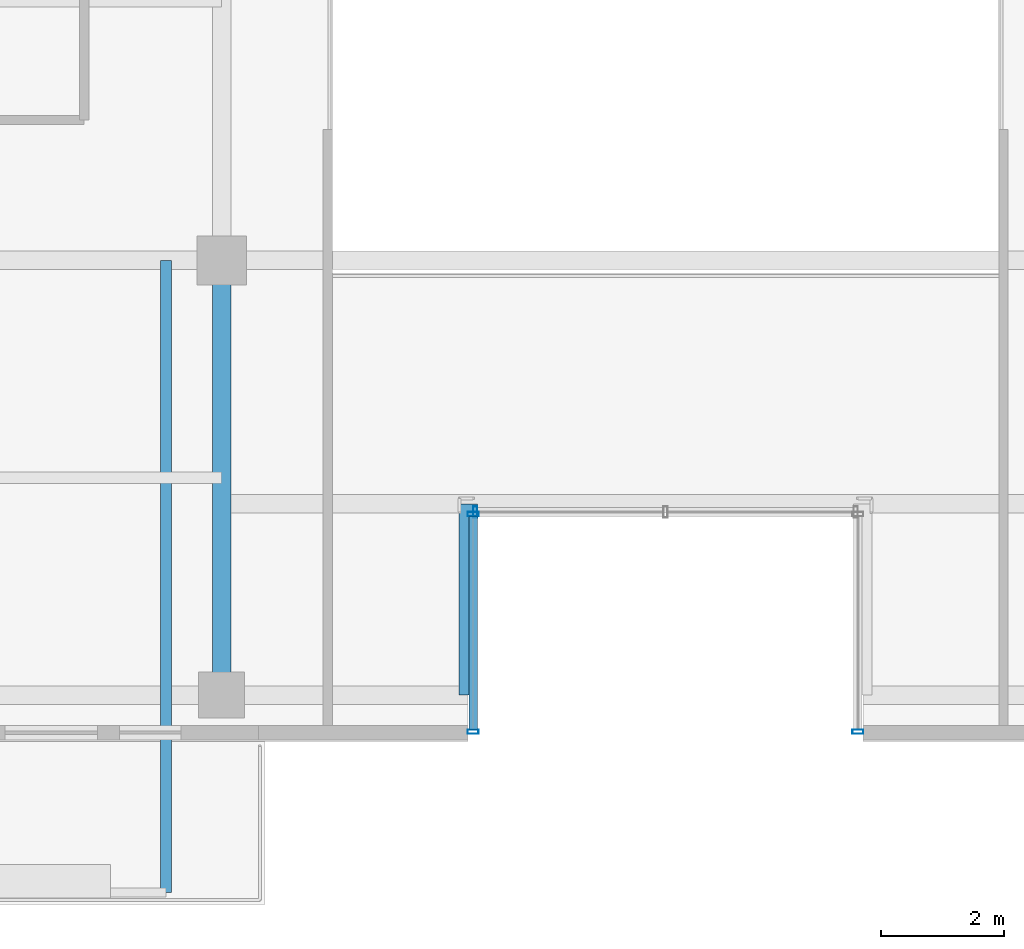
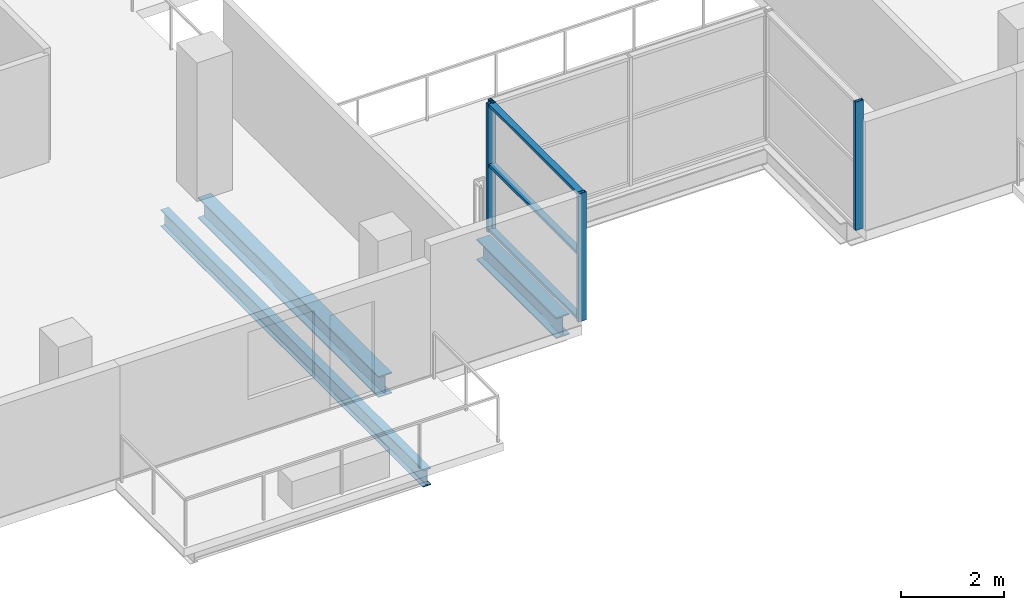
# One storey, part 6 of 25: 7 members, 3 beams, 3 elements without a shape of their own.
"""IFC4 building model written with IfcOpenShell, lengths in metres."""

import ifcopenshell
import ifcopenshell.guid

model = None  # the IFC model being written
_history = None  # IfcOwnerHistory: only IFC2X3 demands one
_inside = {}  # id of a spatial element -> (the spatial element, [elements in it])
_under = {}  # id of a project, library or spatial element -> (it, [spatial elements below it])
_declared = {}  # id of a project -> (the project, [libraries it declares])
_typed = {}  # id of a type object -> (the type object, [elements of that type])
_made_of = {}  # id of a material, layer set ... -> (it, [elements and type objects made of it])


def new_model(schema):
    """Start an empty IFC model of exactly this schema.

    Asked for "IFC4X3", IfcOpenShell would pick the latest addendum, in which some entities
    have other attributes; the version numbers below select the first issue.
    IFC2X3 requires an IfcOwnerHistory on every rooted entity: one is made here for all.
    """
    global model, _history
    if schema == "IFC4X3":
        model = ifcopenshell.file(schema_version=(4, 3, 0, 0))
    else:
        model = ifcopenshell.file(schema=schema)
    _inside.clear()
    _under.clear()
    _declared.clear()
    _typed.clear()
    _made_of.clear()
    _history = None
    if model.schema == "IFC2X3":
        org = make("IfcOrganization", Name="unknown")
        user = make(
            "IfcPersonAndOrganization",
            ThePerson=make("IfcPerson", FamilyName="unknown"),
            TheOrganization=org,
        )
        app = make(
            "IfcApplication",
            ApplicationDeveloper=org,
            Version="unknown",
            ApplicationFullName="unknown",
            ApplicationIdentifier="unknown",
        )
        _history = make(
            "IfcOwnerHistory",
            OwningUser=user,
            OwningApplication=app,
            ChangeAction="ADDED",
            CreationDate=0,
        )
    return model


def make(cls, **values):
    """One entity of the class cls with the attributes given. An attribute that is None is left unset."""
    return model.create_entity(
        cls, **{name: value for name, value in values.items() if value is not None}
    )


def rooted(cls, **values):
    """An entity with a GlobalId (a new one), such as an element, a storey or a relation."""
    return make(cls, GlobalId=ifcopenshell.guid.new(), OwnerHistory=_history, **values)


def si_unit(unit_type, name, prefix=None):
    """IfcSIUnit, for example si_unit("LENGTHUNIT", "METRE", prefix="MILLI")."""
    return make("IfcSIUnit", UnitType=unit_type, Prefix=prefix, Name=name)


def assignment(units):
    """IfcUnitAssignment: the units of a project."""
    return None if units is None else make("IfcUnitAssignment", Units=units)


def point(xyz):
    """IfcCartesianPoint."""
    return None if xyz is None else make("IfcCartesianPoint", Coordinates=xyz)


def direction(xyz):
    """IfcDirection."""
    return None if xyz is None else make("IfcDirection", DirectionRatios=xyz)


def frame(location, z_axis=None, x_axis=None):
    """IfcAxis2Placement3D, a coordinate frame: its origin and axes. An axis left out is left unset."""
    return make(
        "IfcAxis2Placement3D",
        Location=point(location),
        Axis=direction(z_axis),
        RefDirection=direction(x_axis),
    )


def frame_2d(location, x_axis=None):
    """IfcAxis2Placement2D, a coordinate frame in the plane: its origin and x axis."""
    return make(
        "IfcAxis2Placement2D", Location=point(location), RefDirection=direction(x_axis)
    )


def origin():
    """The frame at (0, 0, 0) with its axes left unset."""
    return frame((0.0, 0.0, 0.0))


def origin_2d():
    """The frame at (0, 0) in the plane with its x axis left unset."""
    return frame_2d((0.0, 0.0))


def place(relative_to, where):
    """IfcLocalPlacement: puts the frame where relative to a parent placement (None: the world)."""
    return make(
        "IfcLocalPlacement", PlacementRelTo=relative_to, RelativePlacement=where
    )


def context(
    kind, dimensions, precision=None, world=None, true_north=None, identifier=None
):
    """IfcGeometricRepresentationContext, for example the 3D "Model" context."""
    return make(
        "IfcGeometricRepresentationContext",
        ContextIdentifier=identifier,
        ContextType=kind,
        CoordinateSpaceDimension=dimensions,
        Precision=precision,
        WorldCoordinateSystem=world,
        TrueNorth=true_north,
    )


def subcontext(parent, identifier, kind, view, scale=None):
    """IfcGeometricRepresentationSubContext, for example "Body" below "Model"."""
    return make(
        "IfcGeometricRepresentationSubContext",
        ContextIdentifier=identifier,
        ContextType=kind,
        ParentContext=parent,
        TargetScale=scale,
        TargetView=view,
    )


def project(units=None, contexts=None):
    """IfcProject with its units and contexts."""
    return rooted(
        "IfcProject",
        Name="project",
        RepresentationContexts=contexts,
        UnitsInContext=assignment(units),
    )


def spatial(cls, under=None, at=None, **own):
    """A site, building, storey or space (cls), placed at a placement, below another one or the project."""
    s = rooted(cls, ObjectPlacement=at, **own)
    if under is not None:
        _under.setdefault(under.id(), (under, []))[1].append(s)
    return s


def profile(cls, at=None, kind="AREA", **sizes):
    """A parametric profile (cls). Its sizes go by their IFC names, for example OverallWidth=200.0."""
    return make(cls, ProfileType=kind, Position=at, **sizes)


def hollow_rectangle(**sizes):
    """IfcRectangleHollowProfileDef."""
    return profile("IfcRectangleHollowProfileDef", **sizes)


def i_section(**sizes):
    """IfcIShapeProfileDef."""
    return profile("IfcIShapeProfileDef", **sizes)


def extrude(swept, where, along, depth):
    """IfcExtrudedAreaSolid: the profile swept, set in the frame where, extruded along a direction by depth."""
    return make(
        "IfcExtrudedAreaSolid",
        SweptArea=swept,
        Position=where,
        ExtrudedDirection=direction(along),
        Depth=depth,
    )


def shape(context_of_items, identifier, shape_type, items):
    """IfcShapeRepresentation: the items that make up one representation, for example the "Body"."""
    return make(
        "IfcShapeRepresentation",
        ContextOfItems=context_of_items,
        RepresentationIdentifier=identifier,
        RepresentationType=shape_type,
        Items=items,
    )


def source(mapping_origin, context_of_items, identifier, shape_type, items):
    """IfcRepresentationMap: a shape defined once, which mapped items show again and again."""
    return make(
        "IfcRepresentationMap",
        MappingOrigin=mapping_origin,
        MappedRepresentation=shape(context_of_items, identifier, shape_type, items),
    )


def transform(
    local_origin,
    x_axis=None,
    y_axis=None,
    z_axis=None,
    scale=None,
    scale2=None,
    scale3=None,
    uniform=True,
):
    """IfcCartesianTransformationOperator3D, or its non-uniform kind. x_axis, y_axis, z_axis: its Axis1, 2, 3."""
    if uniform:
        return make(
            "IfcCartesianTransformationOperator3D",
            Axis1=direction(x_axis),
            Axis2=direction(y_axis),
            LocalOrigin=point(local_origin),
            Scale=scale,
            Axis3=direction(z_axis),
        )
    return make(
        "IfcCartesianTransformationOperator3DnonUniform",
        Axis1=direction(x_axis),
        Axis2=direction(y_axis),
        LocalOrigin=point(local_origin),
        Scale=scale,
        Axis3=direction(z_axis),
        Scale2=scale2,
        Scale3=scale3,
    )


def mapped(mapping_source, mapping_target):
    """IfcMappedItem: shows the shape of a source again, moved by a transform."""
    return make(
        "IfcMappedItem", MappingSource=mapping_source, MappingTarget=mapping_target
    )


def material(Name=None, Category=None):
    """IfcMaterial."""
    return make("IfcMaterial", Name=Name, Category=Category)


def layer(
    of_material, thickness, ventilated=None, Name=None, Category=None, Priority=None
):
    """IfcMaterialLayer: one layer of a wall or slab, of a material (None: an air gap)."""
    return make(
        "IfcMaterialLayer",
        Material=of_material,
        LayerThickness=thickness,
        IsVentilated=ventilated,
        Name=Name,
        Category=Category,
        Priority=Priority,
    )


def layer_set(layers, Name=None):
    """IfcMaterialLayerSet."""
    return make("IfcMaterialLayerSet", MaterialLayers=layers, LayerSetName=Name)


def material_profile(
    of_material, cross_section, Name=None, Category=None, Priority=None
):
    """IfcMaterialProfile: a cross section and its material."""
    return make(
        "IfcMaterialProfile",
        Name=Name,
        Material=of_material,
        Profile=cross_section,
        Priority=Priority,
        Category=Category,
    )


def profile_set(profiles, Name=None, composite=None):
    """IfcMaterialProfileSet."""
    return make(
        "IfcMaterialProfileSet",
        Name=Name,
        MaterialProfiles=profiles,
        CompositeProfile=composite,
    )


def made_of(thing, what):
    """Note that an element or type object is made of a material, layer set ...; save() writes the relation."""
    if what is not None:
        _made_of.setdefault(what.id(), (what, []))[1].append(thing)
    return thing


def type_object(cls, material=None, **own):
    """A type object (cls), such as IfcWallType, which elements share."""
    return made_of(rooted(cls, **own), material)


def element(
    cls,
    number,
    at=None,
    inside=None,
    cuts=None,
    type_object=None,
    material=None,
    context=None,
    identifier="Body",
    shape_type=None,
    held_by="IfcProductDefinitionShape",
    body=None,
    shapes=None,
    **own,
):
    """One element of the class cls, such as IfcWall. Its Tag is "e" and its number.

    at: its placement. inside: the storey or other place that contains it. cuts: it is an
    opening in that element (IfcRelVoidsElement). A single representation is given by context,
    identifier, shape_type and body (its items); several are given by shapes. held_by: the class
    of the entity that holds the representations. save() writes the other relations.
    """
    e = rooted(cls, Tag="e%d" % number, ObjectPlacement=at, **own)
    if body is not None:
        shapes = [shape(context, identifier, shape_type, body)]
    if shapes is not None:
        e.Representation = make(held_by, Representations=shapes)
    if inside is not None:
        _inside.setdefault(inside.id(), (inside, []))[1].append(e)
    if cuts is not None:
        rooted(
            "IfcRelVoidsElement", RelatingBuildingElement=cuts, RelatedOpeningElement=e
        )
    if type_object is not None:
        _typed.setdefault(type_object.id(), (type_object, []))[1].append(e)
    return made_of(e, material)


def aggregate(whole, parts):
    """IfcRelAggregates: a whole, such as a stair, and the parts it consists of."""
    return rooted("IfcRelAggregates", RelatingObject=whole, RelatedObjects=parts)


def save(model, path):
    """Write the relations noted so far, then the file.

    IfcRelAggregates (storeys below a building ...), IfcRelContainedInSpatialStructure (elements
    in a storey), IfcRelDefinesByType, IfcRelAssociatesMaterial and IfcRelDeclares: one each for
    every whole, place, type object, material and project.
    """
    for whole, parts in _under.values():
        aggregate(whole, parts)
    for where, things in _inside.values():
        rooted(
            "IfcRelContainedInSpatialStructure",
            RelatedElements=things,
            RelatingStructure=where,
        )
    for kind, things in _typed.values():
        rooted("IfcRelDefinesByType", RelatedObjects=things, RelatingType=kind)
    for what, things in _made_of.values():
        rooted("IfcRelAssociatesMaterial", RelatedObjects=things, RelatingMaterial=what)
    for by, libraries in _declared.values():
        rooted("IfcRelDeclares", RelatingContext=by, RelatedDefinitions=libraries)
    model.write(path)


model = new_model("IFC4")

# Units and contexts
model_context = context("Model", 3, precision=1e-05, world=origin(), true_north=direction((0.0, 1.0)))
body_context = subcontext(model_context, "Body", "Model", "MODEL_VIEW")
ifc_project = project(units=[si_unit("LENGTHUNIT", "METRE"), si_unit("AREAUNIT", "SQUARE_METRE"), si_unit("VOLUMEUNIT", "CUBIC_METRE"), si_unit("PLANEANGLEUNIT", "RADIAN"), si_unit("MASSUNIT", "GRAM", prefix="KILO")], contexts=[model_context])

# Site, building, storey
site_placement = place(None, origin())
site = spatial("IfcSite", under=ifc_project, at=site_placement, CompositionType="ELEMENT")
building_placement = place(site_placement, origin())
building = spatial("IfcBuilding", under=site, at=building_placement, Name="Zarnakvel Exchange Tower", CompositionType="ELEMENT")
storey_placement = place(building_placement, frame((0.0, 0.0, 169.300048828125)))
storey = spatial("IfcBuildingStorey", under=building, at=storey_placement, Name="L47", CompositionType="ELEMENT", Elevation=169.300048828125)

# Beams
ifc_material_1 = material(Name="Steel S355", Category="steel")
ifc_material_profile_1 = material_profile(ifc_material_1, i_section(OverallWidth=0.179931640625, OverallDepth=0.39990234375, WebThickness=0.008544921875, FlangeThickness=0.013427734375, FilletRadius=0.02099609375, at=origin_2d()))
ifc_profile_set_1 = profile_set([ifc_material_profile_1], Name="Steel S355")
beam_type_1 = type_object("IfcBeamType", Name="B-06", PredefinedType="JOIST", material=ifc_profile_set_1)
beam_1_placement = place(storey_placement, frame((-8.10009765625, -9.60009765625, -0.425048828125), z_axis=(0.0, -1.0, 0.0), x_axis=(1.0, 0.0, 0.0)))
element("IfcBeam", 1, at=beam_1_placement, inside=storey, type_object=beam_type_1, Name="L47 Continuous Back-Spanned Balcony Beam E", PredefinedType="JOIST", context=body_context, shape_type="SweptSolid", body=[
    extrude(i_section(OverallWidth=0.179931640625, OverallDepth=0.39990234375, WebThickness=0.008544921875, FlangeThickness=0.013427734375, FilletRadius=0.02099609375, at=origin_2d()), origin(), (0.0, 0.0, 1.0), 10.25),
])
ifc_material_profile_2 = material_profile(ifc_material_1, i_section(OverallWidth=0.300048828125, OverallDepth=0.5, WebThickness=0.014404296875, FlangeThickness=0.028076171875, FilletRadius=0.027099609375, at=origin_2d()))
ifc_profile_set_2 = profile_set([ifc_material_profile_2], Name="Steel S355")
beam_type_2 = type_object("IfcBeamType", Name="G-06", PredefinedType="BEAM", material=ifc_profile_set_2)
beam_2_placement = place(storey_placement, frame((-3.199951171875, -16.64990234375, -0.47509765625), z_axis=(0.0, 1.0, 0.0), x_axis=(-1.0, 0.0, 0.0)))
element("IfcBeam", 2, at=beam_2_placement, inside=storey, type_object=beam_type_2, Name="L47 South Slot West Cheek Beam", PredefinedType="BEAM", context=body_context, shape_type="SweptSolid", body=[
    extrude(i_section(OverallWidth=0.300048828125, OverallDepth=0.5, WebThickness=0.014404296875, FlangeThickness=0.028076171875, FilletRadius=0.027099609375, at=origin_2d()), origin(), (0.0, 0.0, 1.0), 3.099853515625),
])
beam_3_placement = place(storey_placement, frame((-7.199951171875, -16.64990234375, -0.47509765625), z_axis=(0.0, 1.0, 0.0), x_axis=(-1.0, 0.0, 0.0)))
element("IfcBeam", 3, at=beam_3_placement, inside=storey, type_object=beam_type_2, Name="L47 Tower N-S Frame Beam", PredefinedType="BEAM", context=body_context, shape_type="SweptSolid", body=[
    extrude(i_section(OverallWidth=0.300048828125, OverallDepth=0.5, WebThickness=0.014404296875, FlangeThickness=0.028076171875, FilletRadius=0.027099609375, at=origin_2d()), origin(), (0.0, 0.0, 1.0), 7.0498046875),
])

# Curtain wall, members
ifc_material_2 = material(Name="Architectural Bronze Anodised Aluminium", Category="aluminium")
ifc_layer = layer(ifc_material_2, 0.179931640625)
ifc_layer_set = layer_set([ifc_layer], Name="Architectural Bronze Anodised Aluminium")
curtain_wall_type = type_object("IfcCurtainWallType", Name="CW-05", PredefinedType="NOTDEFINED", material=ifc_layer_set)
curtain_wall_1_placement = place(storey_placement, origin())
curtain_wall_1 = element("IfcCurtainWall", 4, at=curtain_wall_1_placement, inside=storey, type_object=curtain_wall_type, Name="L47 Curtain Wall CW-L47-SLW (CW-05)", PredefinedType="NOTDEFINED")
ifc_material_profile_3 = material_profile(ifc_material_2, hollow_rectangle(XDim=0.139892578125, YDim=0.070068359375, WallThickness=0.00390625, at=origin_2d()))
ifc_profile_set_3 = profile_set([ifc_material_profile_3], Name="Architectural Bronze Anodised Aluminium")
member_type_1 = type_object("IfcMemberType", Name="CWT-05", PredefinedType="USERDEFINED", material=ifc_profile_set_3)
shared_shape_1 = source(origin(), body_context, "Body", "SweptSolid", [
    extrude(hollow_rectangle(XDim=0.139892578125, YDim=0.070068359375, WallThickness=0.00390625, at=origin_2d()), origin(), (0.0, 0.0, 1.0), 3.4599609375),
])
member_1_placement = place(storey_placement, frame((-3.1201171875, -17.2099609375, 0.034912109375), z_axis=(0.0, 1.0, 0.0), x_axis=(-1.0, 0.0, 0.0)))
member_1 = element("IfcMember", 5, at=member_1_placement, type_object=member_type_1, Name="CW-05 transom 1.1", ObjectType="TRANSOM", PredefinedType="USERDEFINED", context=body_context, shape_type="MappedRepresentation", body=[
    mapped(shared_shape_1, transform((0.0, 0.0, 0.0), x_axis=(1.0, 0.0, 0.0), y_axis=(0.0, 1.0, 0.0), z_axis=(0.0, 0.0, 1.0), scale=1.0)),
])
member_2_placement = place(storey_placement, frame((-3.1201171875, -17.2099609375, 1.588623046875), z_axis=(0.0, 1.0, 0.0), x_axis=(-1.0, 0.0, 0.0)))
member_2 = element("IfcMember", 6, at=member_2_placement, type_object=member_type_1, Name="CW-05 transom 1.2", ObjectType="TRANSOM", PredefinedType="USERDEFINED", context=body_context, shape_type="MappedRepresentation", body=[
    mapped(shared_shape_1, transform((0.0, 0.0, 0.0), x_axis=(1.0, 0.0, 0.0), y_axis=(0.0, 1.0, 0.0), z_axis=(0.0, 0.0, 1.0), scale=1.0)),
])
member_3_placement = place(storey_placement, frame((-3.1201171875, -17.2099609375, 3.02001953125), z_axis=(0.0, 1.0, 0.0), x_axis=(-1.0, 0.0, 0.0)))
member_3 = element("IfcMember", 7, at=member_3_placement, type_object=member_type_1, Name="CW-05 transom 1.3", ObjectType="TRANSOM", PredefinedType="USERDEFINED", context=body_context, shape_type="MappedRepresentation", body=[
    mapped(shared_shape_1, transform((0.0, 0.0, 0.0), x_axis=(1.0, 0.0, 0.0), y_axis=(0.0, 1.0, 0.0), z_axis=(0.0, 0.0, 1.0), scale=1.0)),
])
ifc_material_profile_4 = material_profile(ifc_material_2, hollow_rectangle(XDim=0.179931640625, YDim=0.070068359375, WallThickness=0.00390625, at=origin_2d()))
ifc_profile_set_4 = profile_set([ifc_material_profile_4], Name="Architectural Bronze Anodised Aluminium")
member_type_2 = type_object("IfcMemberType", Name="CWM-05", PredefinedType="MULLION", material=ifc_profile_set_4)
shared_shape_2 = source(origin(), body_context, "Body", "SweptSolid", [
    extrude(hollow_rectangle(XDim=0.179931640625, YDim=0.070068359375, WallThickness=0.00390625, at=origin_2d()), origin(), (0.0, 0.0, 1.0), 3.054931640625),
])
member_4_placement = place(storey_placement, frame((-3.1201171875, -17.2451171875, 0.0), z_axis=(0.0, 0.0, 1.0), x_axis=(-1.0, 0.0, 0.0)))
member_4 = element("IfcMember", 8, at=member_4_placement, type_object=member_type_2, Name="CW-05 mullion 1", PredefinedType="MULLION", context=body_context, shape_type="MappedRepresentation", body=[
    mapped(shared_shape_2, transform((0.0, 0.0, 0.0), x_axis=(1.0, 0.0, 0.0), y_axis=(0.0, 1.0, 0.0), z_axis=(0.0, 0.0, 1.0), scale=1.0)),
])
member_5_placement = place(storey_placement, frame((-3.1201171875, -13.715087890625, 0.0), z_axis=(0.0, 0.0, 1.0), x_axis=(-1.0, 0.0, 0.0)))
member_5 = element("IfcMember", 9, at=member_5_placement, type_object=member_type_2, Name="CW-05 mullion 2", PredefinedType="MULLION", context=body_context, shape_type="MappedRepresentation", body=[
    mapped(shared_shape_2, transform((0.0, 0.0, 0.0), x_axis=(1.0, 0.0, 0.0), y_axis=(0.0, 1.0, 0.0), z_axis=(0.0, 0.0, 1.0), scale=1.0)),
])
aggregate(curtain_wall_1, [member_4, member_5, member_1, member_2, member_3])

# Curtain wall, member
curtain_wall_2_placement = place(storey_placement, origin())
curtain_wall_2 = element("IfcCurtainWall", 10, at=curtain_wall_2_placement, inside=storey, type_object=curtain_wall_type, Name="L47 Curtain Wall CW-L47-SLB (CW-05)", PredefinedType="NOTDEFINED")
member_6_placement = place(storey_placement, frame((-3.0849609375, -13.679931640625, 0.0), z_axis=(0.0, 0.0, 1.0), x_axis=(0.0, 1.0, 0.0)))
member_6 = element("IfcMember", 11, at=member_6_placement, type_object=member_type_2, Name="CW-05 mullion 1", PredefinedType="MULLION", context=body_context, shape_type="MappedRepresentation", body=[
    mapped(shared_shape_2, transform((0.0, 0.0, 0.0), x_axis=(1.0, 0.0, 0.0), y_axis=(0.0, 1.0, 0.0), z_axis=(0.0, 0.0, 1.0), scale=1.0)),
])
aggregate(curtain_wall_2, [member_6])

curtain_wall_3_placement = place(storey_placement, origin())
curtain_wall_3 = element("IfcCurtainWall", 12, at=curtain_wall_3_placement, inside=storey, type_object=curtain_wall_type, Name="L47 Curtain Wall CW-L47-SLE (CW-05)", PredefinedType="NOTDEFINED")
member_7_placement = place(storey_placement, frame((3.1201171875, -17.2451171875, 0.0), z_axis=(0.0, 0.0, 1.0), x_axis=(1.0, 0.0, 0.0)))
member_7 = element("IfcMember", 13, at=member_7_placement, type_object=member_type_2, Name="CW-05 mullion 2", PredefinedType="MULLION", context=body_context, shape_type="MappedRepresentation", body=[
    mapped(shared_shape_2, transform((0.0, 0.0, 0.0), x_axis=(1.0, 0.0, 0.0), y_axis=(0.0, 1.0, 0.0), z_axis=(0.0, 0.0, 1.0), scale=1.0)),
])
aggregate(curtain_wall_3, [member_7])

save(model, "model.ifc")
